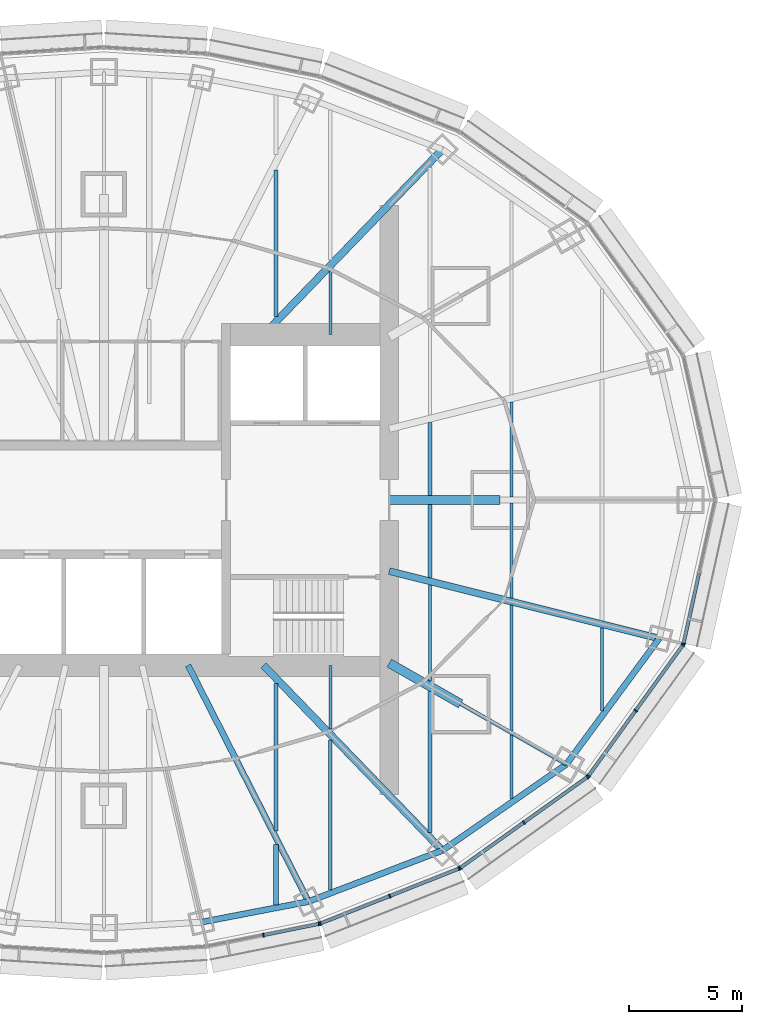
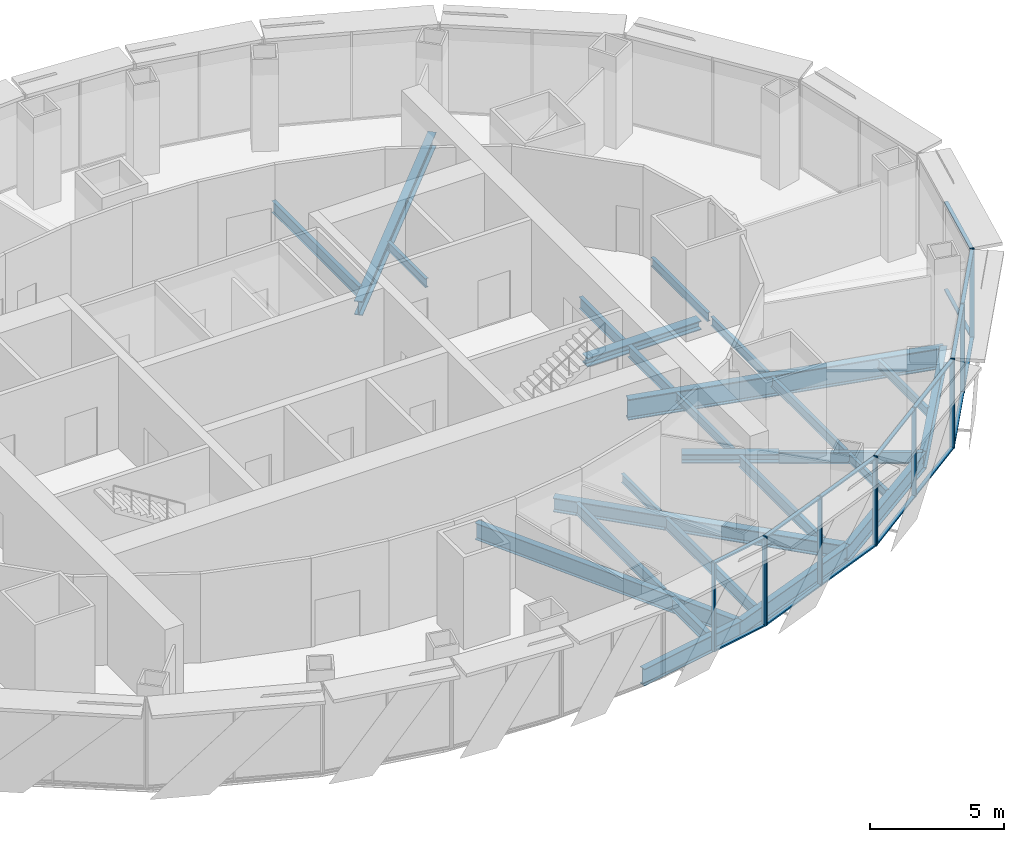
# One storey, part 6 of 16: 28 members, 26 beams, 5 elements without a shape of their own.
"""IFC4 building model written with IfcOpenShell, lengths in metres."""

from ifc_helpers import new_model, si_unit, direction, frame, origin, origin_2d, place, context, subcontext, project, spatial, rectangle, i_section, extrude, material, material_profile, profile_set, type_object, element, aggregate, save


model = new_model("IFC4")

# Units and contexts
model_context = context("Model", 3, precision=1e-05, world=origin(), true_north=direction((0.0, 1.0)))
body_context = subcontext(model_context, "Body", "Model", "MODEL_VIEW")
ifc_project = project(units=[si_unit("LENGTHUNIT", "METRE"), si_unit("AREAUNIT", "SQUARE_METRE"), si_unit("VOLUMEUNIT", "CUBIC_METRE"), si_unit("PLANEANGLEUNIT", "RADIAN"), si_unit("MASSUNIT", "GRAM", prefix="KILO")], contexts=[model_context])

# Site, building, storey
site_placement = place(None, origin())
site = spatial("IfcSite", under=ifc_project, at=site_placement, CompositionType="ELEMENT")
building_placement = place(site_placement, origin())
building = spatial("IfcBuilding", under=site, at=building_placement, Name="Lantaw Convention Tower", CompositionType="ELEMENT")
storey_placement = place(building_placement, frame((0.0, 0.0, 232.60009765625)))
storey = spatial("IfcBuildingStorey", under=building, at=storey_placement, Name="L54", CompositionType="ELEMENT", Elevation=232.60009765625)

# Beams
ifc_material_1 = material(Name="Steel ASTM A992", Category="steel")
ifc_material_profile_1 = material_profile(ifc_material_1, i_section(OverallWidth=0.2666015625, OverallDepth=0.76953125, WebThickness=0.015625, FlangeThickness=0.025390625, FilletRadius=0.0126953125, at=origin_2d()), Name="W30X132")
ifc_profile_set_1 = profile_set([ifc_material_profile_1], Name="Steel ASTM A992")
beam_type_1 = type_object("IfcBeamType", Name="Beam E W30X132", PredefinedType="SPANDREL", material=ifc_profile_set_1)
beam_1_placement = place(storey_placement, frame((4.303955078125, -18.64208984375, -0.534912109375), z_axis=(0.981972091702, 0.189025953556, 0.0), x_axis=(-0.189025953556, 0.981972091702, 0.0)))
element("IfcBeam", 1, at=beam_1_placement, inside=storey, type_object=beam_type_1, Name="Edge beam 20", PredefinedType="SPANDREL", context=body_context, shape_type="SweptSolid", body=[
    extrude(i_section(OverallWidth=0.2666015625, OverallDepth=0.76953125, WebThickness=0.015625, FlangeThickness=0.025390625, FilletRadius=0.0126953125, at=origin_2d()), origin(), (0.0, 0.0, 1.0), 4.817626953125),
])
beam_2_placement = place(storey_placement, frame((9.03466796875, -17.7314453125, -0.534912109375), z_axis=(0.934234988, 0.356658081637, 0.0), x_axis=(-0.356658081637, 0.934234988, 0.0)))
element("IfcBeam", 2, at=beam_2_placement, inside=storey, type_object=beam_type_1, Name="Edge beam 21", PredefinedType="SPANDREL", context=body_context, shape_type="SweptSolid", body=[
    extrude(i_section(OverallWidth=0.2666015625, OverallDepth=0.76953125, WebThickness=0.015625, FlangeThickness=0.025390625, FilletRadius=0.0126953125, at=origin_2d()), origin(), (0.0, 0.0, 1.0), 6.32568359375),
])
beam_3_placement = place(storey_placement, frame((14.9443359375, -15.475341796875, -0.534912109375), z_axis=(0.82135329406, 0.570419815869, 0.0), x_axis=(-0.570419815869, 0.82135329406, 0.0)))
element("IfcBeam", 3, at=beam_3_placement, inside=storey, type_object=beam_type_1, Name="Edge beam 22", PredefinedType="SPANDREL", context=body_context, shape_type="SweptSolid", body=[
    extrude(i_section(OverallWidth=0.2666015625, OverallDepth=0.76953125, WebThickness=0.015625, FlangeThickness=0.025390625, FilletRadius=0.0126953125, at=origin_2d()), origin(), (0.0, 0.0, 1.0), 6.67041015625),
])
beam_4_placement = place(storey_placement, frame((20.423095703125, -11.67041015625, -0.534912109375), z_axis=(0.593639188853, 0.804731329984, 0.0), x_axis=(-0.804731329984, 0.593639188853, 0.0)))
element("IfcBeam", 4, at=beam_4_placement, inside=storey, type_object=beam_type_1, Name="Edge beam 23", PredefinedType="SPANDREL", context=body_context, shape_type="SweptSolid", body=[
    extrude(i_section(OverallWidth=0.2666015625, OverallDepth=0.76953125, WebThickness=0.015625, FlangeThickness=0.025390625, FilletRadius=0.0126953125, at=origin_2d()), origin(), (0.0, 0.0, 1.0), 6.904541015625),
])
ifc_material_profile_2 = material_profile(ifc_material_1, i_section(OverallWidth=0.165771484375, OverallDepth=0.5283203125, WebThickness=0.009765625, FlangeThickness=0.013671875, FilletRadius=0.012939453125, at=origin_2d()), Name="W21X50")
ifc_profile_set_2 = profile_set([ifc_material_profile_2], Name="Steel ASTM A992")
beam_type_2 = type_object("IfcBeamType", Name="Beam G W21X50", PredefinedType="BEAM", material=ifc_profile_set_2)
beam_5_placement = place(storey_placement, frame((15.75, -9.0, -0.414306640625), z_axis=(0.868237559289, -0.496148708192, 0.0), x_axis=(0.496148708192, 0.868237559289, 0.0)))
element("IfcBeam", 5, at=beam_5_placement, inside=storey, type_object=beam_type_2, Name="Floor girder on ray 23", PredefinedType="BEAM", context=body_context, shape_type="SweptSolid", body=[
    extrude(i_section(OverallWidth=0.165771484375, OverallDepth=0.5283203125, WebThickness=0.009765625, FlangeThickness=0.013671875, FilletRadius=0.012939453125, at=origin_2d()), origin(), (0.0, 0.0, 1.0), 5.38232421875),
])
ifc_material_profile_3 = material_profile(ifc_material_1, i_section(OverallWidth=0.32763671875, OverallDepth=0.64013671875, WebThickness=0.01904296875, FlangeThickness=0.033935546875, FilletRadius=0.0126953125, at=origin_2d()), Name="W24X176")
ifc_profile_set_3 = profile_set([ifc_material_profile_3], Name="Steel ASTM A992")
beam_type_3 = type_object("IfcBeamType", Name="Beam G W24X176", PredefinedType="BEAM", material=ifc_profile_set_3)
for number, where, z_axis, x_axis, name in (
    (6, (7.049560546875, 7.300048828125, -0.47021484375), (0.694657766726, 0.719340383356, 0.0), (-0.719340383356, 0.694657766726, 0.0), "Floor girder on ray 4"),
    (7, (7.049560546875, -7.300048828125, -0.47021484375), (0.694657766726, -0.719340383356, 0.0), (0.719340383356, 0.694657766726, 0.0), "Floor girder on ray 22"),
):
    element("IfcBeam", number, at=place(storey_placement, frame(where, z_axis=z_axis, x_axis=x_axis)), inside=storey, type_object=beam_type_3, Name=name, PredefinedType="BEAM", context=body_context, shape_type="SweptSolid", body=[
        extrude(i_section(OverallWidth=0.32763671875, OverallDepth=0.64013671875, WebThickness=0.01904296875, FlangeThickness=0.033935546875, FilletRadius=0.0126953125, at=origin_2d()), origin(), (0.0, 0.0, 1.0), 11.364990234375),
    ])
ifc_material_profile_4 = material_profile(ifc_material_1, i_section(OverallWidth=0.2666015625, OverallDepth=0.7568359375, WebThickness=0.013916015625, FlangeThickness=0.019287109375, FilletRadius=0.0126953125, at=origin_2d()), Name="W30X108")
ifc_profile_set_4 = profile_set([ifc_material_profile_4], Name="Steel ASTM A992")
beam_type_4 = type_object("IfcBeamType", Name="Beam G W30X108", PredefinedType="BEAM", material=ifc_profile_set_4)
beam_6_placement = place(storey_placement, frame((3.719482421875, -7.300048828125, -0.528564453125), z_axis=(0.4539988787, -0.891002254845, 0.0), x_axis=(0.891002254845, 0.4539988787, 0.0)))
element("IfcBeam", 8, at=beam_6_placement, inside=storey, type_object=beam_type_4, Name="Floor girder on ray 21", PredefinedType="BEAM", context=body_context, shape_type="SweptSolid", body=[
    extrude(i_section(OverallWidth=0.2666015625, OverallDepth=0.7568359375, WebThickness=0.013916015625, FlangeThickness=0.019287109375, FilletRadius=0.0126953125, at=origin_2d()), origin(), (0.0, 0.0, 1.0), 11.70751953125),
])
ifc_material_profile_5 = material_profile(ifc_material_1, i_section(OverallWidth=0.307373046875, OverallDepth=0.9423828125, WebThickness=0.022216796875, FlangeThickness=0.039794921875, FilletRadius=0.0126953125, at=origin_2d()), Name="W36X232")
ifc_profile_set_5 = profile_set([ifc_material_profile_5], Name="Steel ASTM A992")
beam_type_5 = type_object("IfcBeamType", Name="Beam G W36X232", PredefinedType="BEAM", material=ifc_profile_set_5)
beam_7_placement = place(storey_placement, frame((12.60009765625, -3.1416015625, -0.621337890625), z_axis=(0.970296589314, -0.241918434119, 0.0), x_axis=(0.241918434119, 0.970296589314, 0.0)))
element("IfcBeam", 9, at=beam_7_placement, inside=storey, type_object=beam_type_5, Name="Floor girder on ray 24", PredefinedType="BEAM", context=body_context, shape_type="SweptSolid", body=[
    extrude(i_section(OverallWidth=0.307373046875, OverallDepth=0.9423828125, WebThickness=0.022216796875, FlangeThickness=0.039794921875, FilletRadius=0.0126953125, at=origin_2d()), origin(), (0.0, 0.0, 1.0), 12.286865234375),
])
ifc_material_profile_6 = material_profile(ifc_material_1, i_section(OverallWidth=0.40380859375, OverallDepth=0.406494140625, WebThickness=0.027099609375, FlangeThickness=0.043701171875, FilletRadius=0.01513671875, at=origin_2d()), Name="W14X233")
ifc_profile_set_6 = profile_set([ifc_material_profile_6], Name="Steel ASTM A992")
beam_type_6 = type_object("IfcBeamType", Name="Beam GM W14X233", PredefinedType="BEAM", material=ifc_profile_set_6)
beam_8_placement = place(storey_placement, frame((12.60009765625, 0.0, -0.353271484375), z_axis=(1.0, 0.0, 0.0), x_axis=(0.0, 1.0, 0.0)))
element("IfcBeam", 10, at=beam_8_placement, inside=storey, type_object=beam_type_6, Name="Core link beam on ray 1", PredefinedType="BEAM", context=body_context, shape_type="SweptSolid", body=[
    extrude(i_section(OverallWidth=0.40380859375, OverallDepth=0.406494140625, WebThickness=0.027099609375, FlangeThickness=0.043701171875, FilletRadius=0.01513671875, at=origin_2d()), origin(), (0.0, 0.0, 1.0), 4.89990234375),
])
beam_9_placement = place(storey_placement, frame((12.60009765625, -7.199951171875, -0.353271484375), z_axis=(0.868230718294, -0.496160679428, 0.0), x_axis=(0.496160679428, 0.868230718294, 0.0)))
element("IfcBeam", 11, at=beam_9_placement, inside=storey, type_object=beam_type_6, Name="Core link beam on ray 23", PredefinedType="BEAM", context=body_context, shape_type="SweptSolid", body=[
    extrude(i_section(OverallWidth=0.40380859375, OverallDepth=0.406494140625, WebThickness=0.027099609375, FlangeThickness=0.043701171875, FilletRadius=0.01513671875, at=origin_2d()), origin(), (0.0, 0.0, 1.0), 3.6279296875),
])
ifc_material_profile_7 = material_profile(ifc_material_1, i_section(OverallWidth=0.140380859375, OverallDepth=0.40380859375, WebThickness=0.007080078125, FlangeThickness=0.01123046875, FilletRadius=0.01025390625, at=origin_2d()), Name="W16X31")
ifc_profile_set_7 = profile_set([ifc_material_profile_7], Name="Steel ASTM A992")
beam_type_7 = type_object("IfcBeamType", Name="Beam J W16X31", PredefinedType="JOIST", material=ifc_profile_set_7)
for number, where, z_axis, x_axis, name in (
    (12, (10.0, -10.119384765625, -0.35205078125), (0.0, 1.0, 0.0), (-1.0, 0.0, 0.0), "Floor joist"),
    (13, (10.0, 7.300048828125, -0.35205078125), (0.0, 1.0, 0.0), (-1.0, 0.0, 0.0), "Floor joist"),
):
    element("IfcBeam", number, at=place(storey_placement, frame(where, z_axis=z_axis, x_axis=x_axis)), inside=storey, type_object=beam_type_7, Name=name, PredefinedType="JOIST", context=body_context, shape_type="SweptSolid", body=[
        extrude(i_section(OverallWidth=0.140380859375, OverallDepth=0.40380859375, WebThickness=0.007080078125, FlangeThickness=0.01123046875, FilletRadius=0.01025390625, at=origin_2d()), origin(), (0.0, 0.0, 1.0), 2.8193359375),
    ])
beam_10_placement = place(storey_placement, frame((14.39990234375, -7.99609375, -0.35205078125), z_axis=(0.0, 1.0, 0.0), x_axis=(-1.0, 0.0, 0.0)))
element("IfcBeam", 14, at=beam_10_placement, inside=storey, type_object=beam_type_7, Name="Floor joist", PredefinedType="JOIST", context=body_context, shape_type="SweptSolid", body=[
    extrude(i_section(OverallWidth=0.140380859375, OverallDepth=0.40380859375, WebThickness=0.007080078125, FlangeThickness=0.01123046875, FilletRadius=0.01025390625, at=origin_2d()), origin(), (0.0, 0.0, 1.0), 4.247314453125),
])
beam_11_placement = place(storey_placement, frame((18.0, -13.19091796875, -0.35205078125), z_axis=(0.0, 1.0, 0.0), x_axis=(-1.0, 0.0, 0.0)))
element("IfcBeam", 15, at=beam_11_placement, inside=storey, type_object=beam_type_7, Name="Floor joist", PredefinedType="JOIST", context=body_context, shape_type="SweptSolid", body=[
    extrude(i_section(OverallWidth=0.140380859375, OverallDepth=0.40380859375, WebThickness=0.007080078125, FlangeThickness=0.01123046875, FilletRadius=0.01025390625, at=origin_2d()), origin(), (0.0, 0.0, 1.0), 2.8095703125),
])
for number, where, z_axis, x_axis, name in (
    (16, (18.0, -4.32958984375, -0.35205078125), (0.0, 1.0, 0.0), (-1.0, 0.0, 0.0), "Floor joist"),
    (17, (18.0, 0.126953125, -0.35205078125), (0.0, 1.0, 0.0), (-1.0, 0.0, 0.0), "Floor joist"),
):
    element("IfcBeam", number, at=place(storey_placement, frame(where, z_axis=z_axis, x_axis=x_axis)), inside=storey, type_object=beam_type_7, Name=name, PredefinedType="JOIST", context=body_context, shape_type="SweptSolid", body=[
        extrude(i_section(OverallWidth=0.140380859375, OverallDepth=0.40380859375, WebThickness=0.007080078125, FlangeThickness=0.01123046875, FilletRadius=0.01025390625, at=origin_2d()), origin(), (0.0, 0.0, 1.0), 4.20263671875),
    ])
beam_12_placement = place(storey_placement, frame((22.0, -9.30810546875, -0.35205078125), z_axis=(0.0, 1.0, 0.0), x_axis=(-1.0, 0.0, 0.0)))
element("IfcBeam", 18, at=beam_12_placement, inside=storey, type_object=beam_type_7, Name="Floor joist", PredefinedType="JOIST", context=body_context, shape_type="SweptSolid", body=[
    extrude(i_section(OverallWidth=0.140380859375, OverallDepth=0.40380859375, WebThickness=0.007080078125, FlangeThickness=0.01123046875, FilletRadius=0.01025390625, at=origin_2d()), origin(), (0.0, 0.0, 1.0), 3.66455078125),
])
ifc_material_profile_8 = material_profile(ifc_material_1, i_section(OverallWidth=0.15234375, OverallDepth=0.449462890625, WebThickness=0.007568359375, FlangeThickness=0.0107421875, FilletRadius=0.01025390625, at=origin_2d()), Name="W18X35")
ifc_profile_set_8 = profile_set([ifc_material_profile_8], Name="Steel ASTM A992")
beam_type_8 = type_object("IfcBeamType", Name="Beam J W18X35", PredefinedType="JOIST", material=ifc_profile_set_8)
beam_13_placement = place(storey_placement, frame((18.0, -10.190185546875, -0.375), z_axis=(0.0, 1.0, 0.0), x_axis=(-1.0, 0.0, 0.0)))
element("IfcBeam", 19, at=beam_13_placement, inside=storey, type_object=beam_type_8, Name="Floor joist", PredefinedType="JOIST", context=body_context, shape_type="SweptSolid", body=[
    extrude(i_section(OverallWidth=0.15234375, OverallDepth=0.449462890625, WebThickness=0.007568359375, FlangeThickness=0.0107421875, FilletRadius=0.01025390625, at=origin_2d()), origin(), (0.0, 0.0, 1.0), 5.5439453125),
])
ifc_material_profile_9 = material_profile(ifc_material_1, i_section(OverallWidth=0.1650390625, OverallDepth=0.52587890625, WebThickness=0.0087890625, FlangeThickness=0.011474609375, FilletRadius=0.0126953125, at=origin_2d()), Name="W21X44")
ifc_profile_set_9 = profile_set([ifc_material_profile_9], Name="Steel ASTM A992")
beam_type_9 = type_object("IfcBeamType", Name="Beam J W21X44", PredefinedType="JOIST", material=ifc_profile_set_9)
beam_14_placement = place(storey_placement, frame((7.60009765625, -14.6220703125, -0.4130859375), z_axis=(0.0, 1.0, 0.0), x_axis=(-1.0, 0.0, 0.0)))
element("IfcBeam", 20, at=beam_14_placement, inside=storey, type_object=beam_type_9, Name="Floor joist", PredefinedType="JOIST", context=body_context, shape_type="SweptSolid", body=[
    extrude(i_section(OverallWidth=0.1650390625, OverallDepth=0.52587890625, WebThickness=0.0087890625, FlangeThickness=0.011474609375, FilletRadius=0.0126953125, at=origin_2d()), origin(), (0.0, 0.0, 1.0), 6.51611328125),
])
beam_15_placement = place(storey_placement, frame((7.60009765625, 8.10595703125, -0.4130859375), z_axis=(0.0, 1.0, 0.0), x_axis=(-1.0, 0.0, 0.0)))
element("IfcBeam", 21, at=beam_15_placement, inside=storey, type_object=beam_type_9, Name="Floor joist", PredefinedType="JOIST", context=body_context, shape_type="SweptSolid", body=[
    extrude(i_section(OverallWidth=0.1650390625, OverallDepth=0.52587890625, WebThickness=0.0087890625, FlangeThickness=0.011474609375, FilletRadius=0.0126953125, at=origin_2d()), origin(), (0.0, 0.0, 1.0), 6.471435546875),
])
beam_16_placement = place(storey_placement, frame((10.0, -17.22021484375, -0.4130859375), z_axis=(0.0, 1.0, 0.0), x_axis=(-1.0, 0.0, 0.0)))
element("IfcBeam", 22, at=beam_16_placement, inside=storey, type_object=beam_type_9, Name="Floor joist", PredefinedType="JOIST", context=body_context, shape_type="SweptSolid", body=[
    extrude(i_section(OverallWidth=0.1650390625, OverallDepth=0.52587890625, WebThickness=0.0087890625, FlangeThickness=0.011474609375, FilletRadius=0.0126953125, at=origin_2d()), origin(), (0.0, 0.0, 1.0), 6.629150390625),
])
beam_17_placement = place(storey_placement, frame((14.39990234375, -14.67578125, -0.4130859375), z_axis=(0.0, 1.0, 0.0), x_axis=(-1.0, 0.0, 0.0)))
element("IfcBeam", 23, at=beam_17_placement, inside=storey, type_object=beam_type_9, Name="Floor joist", PredefinedType="JOIST", context=body_context, shape_type="SweptSolid", body=[
    extrude(i_section(OverallWidth=0.1650390625, OverallDepth=0.52587890625, WebThickness=0.0087890625, FlangeThickness=0.011474609375, FilletRadius=0.0126953125, at=origin_2d()), origin(), (0.0, 0.0, 1.0), 6.214599609375),
])
for number, where, z_axis, x_axis, name in (
    (24, (14.39990234375, -3.431884765625, -0.4130859375), (0.0, 1.0, 0.0), (-1.0, 0.0, 0.0), "Floor joist"),
    (25, (14.39990234375, 0.201904296875, -0.4130859375), (0.0, 1.0, 0.0), (-1.0, 0.0, 0.0), "Floor joist"),
):
    element("IfcBeam", number, at=place(storey_placement, frame(where, z_axis=z_axis, x_axis=x_axis)), inside=storey, type_object=beam_type_9, Name=name, PredefinedType="JOIST", context=body_context, shape_type="SweptSolid", body=[
        extrude(i_section(OverallWidth=0.1650390625, OverallDepth=0.52587890625, WebThickness=0.0087890625, FlangeThickness=0.011474609375, FilletRadius=0.0126953125, at=origin_2d()), origin(), (0.0, 0.0, 1.0), 3.22998046875),
    ])
ifc_material_profile_10 = material_profile(ifc_material_1, i_section(OverallWidth=0.2099609375, OverallDepth=0.535888671875, WebThickness=0.010986328125, FlangeThickness=0.017333984375, FilletRadius=0.012939453125, at=origin_2d()), Name="W21X68")
ifc_profile_set_10 = profile_set([ifc_material_profile_10], Name="Steel ASTM A992")
beam_type_10 = type_object("IfcBeamType", Name="Beam J W21X68", PredefinedType="JOIST", material=ifc_profile_set_10)
beam_18_placement = place(storey_placement, frame((7.60009765625, -17.871826171875, -0.41796875), z_axis=(0.0, 1.0, 0.0), x_axis=(-1.0, 0.0, 0.0)))
element("IfcBeam", 26, at=beam_18_placement, inside=storey, type_object=beam_type_10, Name="Floor joist", PredefinedType="JOIST", context=body_context, shape_type="SweptSolid", body=[
    extrude(i_section(OverallWidth=0.2099609375, OverallDepth=0.535888671875, WebThickness=0.010986328125, FlangeThickness=0.017333984375, FilletRadius=0.012939453125, at=origin_2d()), origin(), (0.0, 0.0, 1.0), 2.662353515625),
])

# Curtain wall, members
ifc_material_2 = material(Name="Aluminium framed curtain wall", Category="aluminium")
curtain_wall_type = type_object("IfcCurtainWallType", Name="Office curtain wall high rise, pale aluminium", PredefinedType="USERDEFINED", material=ifc_material_2)
curtain_wall_1_placement = place(storey_placement, origin())
curtain_wall_1 = element("IfcCurtainWall", 27, at=curtain_wall_1_placement, inside=storey, type_object=curtain_wall_type, Name="Office curtain wall high rise, pale aluminium L54", ObjectType="UNITISED CURTAIN WALL", PredefinedType="USERDEFINED")
ifc_material_3 = material(Name="Aluminium 6063-T6", Category="aluminium")
ifc_material_profile_11 = material_profile(ifc_material_3, rectangle(XDim=0.179931640625, YDim=0.06494140625, at=origin_2d()), Name="CW-O2 mullion 65x180")
ifc_profile_set_11 = profile_set([ifc_material_profile_11], Name="Aluminium 6063-T6")
member_type_1 = type_object("IfcMemberType", Name="CW-O2 mullion 65x180", PredefinedType="MULLION", material=ifc_profile_set_11)
member_1_placement = place(storey_placement, frame((7.042724609375, -19.212646484375, 0.0), z_axis=(0.0, 0.0, 1.0), x_axis=(-0.197183095987, 0.980366679695, 0.0)))
member_1 = element("IfcMember", 28, at=member_1_placement, type_object=member_type_1, Name="CW-O2 mullion 2", PredefinedType="MULLION", context=body_context, shape_type="SweptSolid", body=[
    extrude(rectangle(XDim=0.179931640625, YDim=0.06494140625, at=origin_2d()), origin(), (0.0, 0.0, 1.0), 4.0498046875),
])
member_2_placement = place(storey_placement, frame((9.502197265625, -18.718017578125, 0.0), z_axis=(0.0, 0.0, 1.0), x_axis=(-0.197183095987, 0.980366679695, 0.0)))
member_2 = element("IfcMember", 29, at=member_2_placement, type_object=member_type_1, Name="CW-O2 mullion 3", PredefinedType="MULLION", context=body_context, shape_type="SweptSolid", body=[
    extrude(rectangle(XDim=0.179931640625, YDim=0.06494140625, at=origin_2d()), origin(), (0.0, 0.0, 1.0), 4.0498046875),
])

curtain_wall_2_placement = place(storey_placement, origin())
curtain_wall_2 = element("IfcCurtainWall", 30, at=curtain_wall_2_placement, inside=storey, type_object=curtain_wall_type, Name="Office curtain wall high rise, pale aluminium L54", ObjectType="UNITISED CURTAIN WALL", PredefinedType="USERDEFINED")
member_3_placement = place(storey_placement, frame((9.564208984375, -18.69970703125, 0.0), z_axis=(0.0, 0.0, 1.0), x_axis=(-0.368162315252, 0.929761533743, 0.0)))
member_3 = element("IfcMember", 31, at=member_3_placement, type_object=member_type_1, Name="CW-O2 mullion 1", PredefinedType="MULLION", context=body_context, shape_type="SweptSolid", body=[
    extrude(rectangle(XDim=0.179931640625, YDim=0.06494140625, at=origin_2d()), origin(), (0.0, 0.0, 1.0), 4.0498046875),
])
member_4_placement = place(storey_placement, frame((12.621337890625, -17.4892578125, 0.0), z_axis=(0.0, 0.0, 1.0), x_axis=(-0.368162315252, 0.929761533743, 0.0)))
member_4 = element("IfcMember", 32, at=member_4_placement, type_object=member_type_1, Name="CW-O2 mullion 2", PredefinedType="MULLION", context=body_context, shape_type="SweptSolid", body=[
    extrude(rectangle(XDim=0.179931640625, YDim=0.06494140625, at=origin_2d()), origin(), (0.0, 0.0, 1.0), 4.0498046875),
])
member_5_placement = place(storey_placement, frame((15.67822265625, -16.278564453125, 0.0), z_axis=(0.0, 0.0, 1.0), x_axis=(-0.368162315252, 0.929761533743, 0.0)))
member_5 = element("IfcMember", 33, at=member_5_placement, type_object=member_type_1, Name="CW-O2 mullion 3", PredefinedType="MULLION", context=body_context, shape_type="SweptSolid", body=[
    extrude(rectangle(XDim=0.179931640625, YDim=0.06494140625, at=origin_2d()), origin(), (0.0, 0.0, 1.0), 4.0498046875),
])

curtain_wall_3_placement = place(storey_placement, origin())
curtain_wall_3 = element("IfcCurtainWall", 34, at=curtain_wall_3_placement, inside=storey, type_object=curtain_wall_type, Name="Office curtain wall high rise, pale aluminium L54", ObjectType="UNITISED CURTAIN WALL", PredefinedType="USERDEFINED")
member_6_placement = place(storey_placement, frame((15.73486328125, -16.247802734375, 0.0), z_axis=(0.0, 0.0, 1.0), x_axis=(-0.581323487281, 0.813672540482, 0.0)))
member_6 = element("IfcMember", 35, at=member_6_placement, type_object=member_type_1, Name="CW-O2 mullion 1", PredefinedType="MULLION", context=body_context, shape_type="SweptSolid", body=[
    extrude(rectangle(XDim=0.179931640625, YDim=0.06494140625, at=origin_2d()), origin(), (0.0, 0.0, 1.0), 4.0498046875),
])
member_7_placement = place(storey_placement, frame((18.543212890625, -14.241455078125, 0.0), z_axis=(0.0, 0.0, 1.0), x_axis=(-0.581323487281, 0.813672540482, 0.0)))
member_7 = element("IfcMember", 36, at=member_7_placement, type_object=member_type_1, Name="CW-O2 mullion 2", PredefinedType="MULLION", context=body_context, shape_type="SweptSolid", body=[
    extrude(rectangle(XDim=0.179931640625, YDim=0.06494140625, at=origin_2d()), origin(), (0.0, 0.0, 1.0), 4.0498046875),
])
member_8_placement = place(storey_placement, frame((21.3515625, -12.23486328125, 0.0), z_axis=(0.0, 0.0, 1.0), x_axis=(-0.581323487281, 0.813672540482, 0.0)))
member_8 = element("IfcMember", 37, at=member_8_placement, type_object=member_type_1, Name="CW-O2 mullion 3", PredefinedType="MULLION", context=body_context, shape_type="SweptSolid", body=[
    extrude(rectangle(XDim=0.179931640625, YDim=0.06494140625, at=origin_2d()), origin(), (0.0, 0.0, 1.0), 4.0498046875),
])

curtain_wall_4_placement = place(storey_placement, origin())
curtain_wall_4 = element("IfcCurtainWall", 38, at=curtain_wall_4_placement, inside=storey, type_object=curtain_wall_type, Name="Office curtain wall high rise, pale aluminium L54", ObjectType="UNITISED CURTAIN WALL", PredefinedType="USERDEFINED")
member_9_placement = place(storey_placement, frame((21.397216796875, -12.189697265625, 0.0), z_axis=(0.0, 0.0, 1.0), x_axis=(-0.810919559405, 0.585157643865, 0.0)))
member_9 = element("IfcMember", 39, at=member_9_placement, type_object=member_type_1, Name="CW-O2 mullion 1", PredefinedType="MULLION", context=body_context, shape_type="SweptSolid", body=[
    extrude(rectangle(XDim=0.179931640625, YDim=0.06494140625, at=origin_2d()), origin(), (0.0, 0.0, 1.0), 4.0498046875),
])
member_10_placement = place(storey_placement, frame((23.483642578125, -9.298095703125, 0.0), z_axis=(0.0, 0.0, 1.0), x_axis=(-0.810919559405, 0.585157643865, 0.0)))
member_10 = element("IfcMember", 40, at=member_10_placement, type_object=member_type_1, Name="CW-O2 mullion 2", PredefinedType="MULLION", context=body_context, shape_type="SweptSolid", body=[
    extrude(rectangle(XDim=0.179931640625, YDim=0.06494140625, at=origin_2d()), origin(), (0.0, 0.0, 1.0), 4.0498046875),
])
member_11_placement = place(storey_placement, frame((25.5703125, -6.406494140625, 0.0), z_axis=(0.0, 0.0, 1.0), x_axis=(-0.810919559405, 0.585157643865, 0.0)))
member_11 = element("IfcMember", 41, at=member_11_placement, type_object=member_type_1, Name="CW-O2 mullion 3", PredefinedType="MULLION", context=body_context, shape_type="SweptSolid", body=[
    extrude(rectangle(XDim=0.179931640625, YDim=0.06494140625, at=origin_2d()), origin(), (0.0, 0.0, 1.0), 4.0498046875),
])

# Curtain wall, member
curtain_wall_5_placement = place(storey_placement, origin())
curtain_wall_5 = element("IfcCurtainWall", 42, at=curtain_wall_5_placement, inside=storey, type_object=curtain_wall_type, Name="Office curtain wall high rise, pale aluminium L54", ObjectType="UNITISED CURTAIN WALL", PredefinedType="USERDEFINED")
member_12_placement = place(storey_placement, frame((25.596435546875, -6.348388671875, 0.0), z_axis=(0.0, 0.0, 1.0), x_axis=(-0.976417396437, 0.215891333626, 0.0)))
member_12 = element("IfcMember", 43, at=member_12_placement, type_object=member_type_1, Name="CW-O2 mullion 1", PredefinedType="MULLION", context=body_context, shape_type="SweptSolid", body=[
    extrude(rectangle(XDim=0.179931640625, YDim=0.06494140625, at=origin_2d()), origin(), (0.0, 0.0, 1.0), 4.0498046875),
])

# Member
ifc_material_profile_12 = material_profile(ifc_material_3, rectangle(XDim=0.14990234375, YDim=0.06494140625, at=origin_2d()), Name="CW-O2 transom 65x150")
ifc_profile_set_12 = profile_set([ifc_material_profile_12], Name="Aluminium 6063-T6")
member_type_2 = type_object("IfcMemberType", Name="CW-O2 transom 65x150", PredefinedType="USERDEFINED", material=ifc_profile_set_12)
member_13_placement = place(storey_placement, frame((7.074462890625, -19.206298828125, 0.032470703125), z_axis=(0.98036104319, 0.197211117829, 0.0), x_axis=(-0.197211117829, 0.98036104319, 0.0)))
member_13 = element("IfcMember", 44, at=member_13_placement, type_object=member_type_2, Name="CW-O2 transom 2.1", ObjectType="TRANSOM", PredefinedType="USERDEFINED", context=body_context, shape_type="SweptSolid", body=[
    extrude(rectangle(XDim=0.14990234375, YDim=0.06494140625, at=origin_2d()), origin(), (0.0, 0.0, 1.0), 2.44384765625),
])

member_14_placement = place(storey_placement, frame((7.074462890625, -19.206298828125, 4.017333984375), z_axis=(0.98036104319, 0.197211117829, 0.0), x_axis=(-0.197211117829, 0.98036104319, 0.0)))
member_14 = element("IfcMember", 45, at=member_14_placement, type_object=member_type_2, Name="CW-O2 transom 2.2", ObjectType="TRANSOM", PredefinedType="USERDEFINED", context=body_context, shape_type="SweptSolid", body=[
    extrude(rectangle(XDim=0.14990234375, YDim=0.06494140625, at=origin_2d()), origin(), (0.0, 0.0, 1.0), 2.44384765625),
])

aggregate(curtain_wall_1, [member_1, member_2, member_13, member_14])

member_15_placement = place(storey_placement, frame((9.594482421875, -18.687744140625, 0.032470703125), z_axis=(0.929766642946, 0.368149412149, 0.0), x_axis=(-0.368149412149, 0.929766642946, 0.0)))
member_15 = element("IfcMember", 46, at=member_15_placement, type_object=member_type_2, Name="CW-O2 transom 1.1", ObjectType="TRANSOM", PredefinedType="USERDEFINED", context=body_context, shape_type="SweptSolid", body=[
    extrude(rectangle(XDim=0.14990234375, YDim=0.06494140625, at=origin_2d()), origin(), (0.0, 0.0, 1.0), 3.222900390625),
])

member_16_placement = place(storey_placement, frame((9.594482421875, -18.687744140625, 4.017333984375), z_axis=(0.929766642946, 0.368149412149, 0.0), x_axis=(-0.368149412149, 0.929766642946, 0.0)))
member_16 = element("IfcMember", 47, at=member_16_placement, type_object=member_type_2, Name="CW-O2 transom 1.2", ObjectType="TRANSOM", PredefinedType="USERDEFINED", context=body_context, shape_type="SweptSolid", body=[
    extrude(rectangle(XDim=0.14990234375, YDim=0.06494140625, at=origin_2d()), origin(), (0.0, 0.0, 1.0), 3.222900390625),
])

member_17_placement = place(storey_placement, frame((12.651611328125, -17.477294921875, 0.032470703125), z_axis=(0.929740712354, 0.368214893495, 0.0), x_axis=(-0.368214893495, 0.929740712354, 0.0)))
member_17 = element("IfcMember", 48, at=member_17_placement, type_object=member_type_2, Name="CW-O2 transom 2.1", ObjectType="TRANSOM", PredefinedType="USERDEFINED", context=body_context, shape_type="SweptSolid", body=[
    extrude(rectangle(XDim=0.14990234375, YDim=0.06494140625, at=origin_2d()), origin(), (0.0, 0.0, 1.0), 3.22314453125),
])

member_18_placement = place(storey_placement, frame((12.651611328125, -17.477294921875, 4.017333984375), z_axis=(0.929740712354, 0.368214893495, 0.0), x_axis=(-0.368214893495, 0.929740712354, 0.0)))
member_18 = element("IfcMember", 49, at=member_18_placement, type_object=member_type_2, Name="CW-O2 transom 2.2", ObjectType="TRANSOM", PredefinedType="USERDEFINED", context=body_context, shape_type="SweptSolid", body=[
    extrude(rectangle(XDim=0.14990234375, YDim=0.06494140625, at=origin_2d()), origin(), (0.0, 0.0, 1.0), 3.22314453125),
])

aggregate(curtain_wall_2, [member_3, member_4, member_5, member_15, member_16, member_17, member_18])

member_19_placement = place(storey_placement, frame((15.761474609375, -16.22900390625, 0.032470703125), z_axis=(0.813645780821, 0.581360940683, 0.0), x_axis=(-0.581360940683, 0.813645780821, 0.0)))
member_19 = element("IfcMember", 50, at=member_19_placement, type_object=member_type_2, Name="CW-O2 transom 1.1", ObjectType="TRANSOM", PredefinedType="USERDEFINED", context=body_context, shape_type="SweptSolid", body=[
    extrude(rectangle(XDim=0.14990234375, YDim=0.06494140625, at=origin_2d()), origin(), (0.0, 0.0, 1.0), 3.386474609375),
])

member_20_placement = place(storey_placement, frame((15.761474609375, -16.22900390625, 4.017333984375), z_axis=(0.813645780821, 0.581360940683, 0.0), x_axis=(-0.581360940683, 0.813645780821, 0.0)))
member_20 = element("IfcMember", 51, at=member_20_placement, type_object=member_type_2, Name="CW-O2 transom 1.2", ObjectType="TRANSOM", PredefinedType="USERDEFINED", context=body_context, shape_type="SweptSolid", body=[
    extrude(rectangle(XDim=0.14990234375, YDim=0.06494140625, at=origin_2d()), origin(), (0.0, 0.0, 1.0), 3.386474609375),
])

member_21_placement = place(storey_placement, frame((18.56982421875, -14.222412109375, 0.032470703125), z_axis=(0.813679882592, 0.581313210468, 0.0), x_axis=(-0.581313210468, 0.813679882592, 0.0)))
member_21 = element("IfcMember", 52, at=member_21_placement, type_object=member_type_2, Name="CW-O2 transom 2.1", ObjectType="TRANSOM", PredefinedType="USERDEFINED", context=body_context, shape_type="SweptSolid", body=[
    extrude(rectangle(XDim=0.14990234375, YDim=0.06494140625, at=origin_2d()), origin(), (0.0, 0.0, 1.0), 3.38623046875),
])

member_22_placement = place(storey_placement, frame((18.56982421875, -14.222412109375, 4.017333984375), z_axis=(0.813679882592, 0.581313210468, 0.0), x_axis=(-0.581313210468, 0.813679882592, 0.0)))
member_22 = element("IfcMember", 53, at=member_22_placement, type_object=member_type_2, Name="CW-O2 transom 2.2", ObjectType="TRANSOM", PredefinedType="USERDEFINED", context=body_context, shape_type="SweptSolid", body=[
    extrude(rectangle(XDim=0.14990234375, YDim=0.06494140625, at=origin_2d()), origin(), (0.0, 0.0, 1.0), 3.38623046875),
])

aggregate(curtain_wall_3, [member_6, member_7, member_8, member_19, member_20, member_21, member_22])

member_23_placement = place(storey_placement, frame((21.416259765625, -12.163330078125, 0.032470703125), z_axis=(0.585123825205, 0.810943961798, 0.0), x_axis=(-0.810943961798, 0.585123825205, 0.0)))
member_23 = element("IfcMember", 54, at=member_23_placement, type_object=member_type_2, Name="CW-O2 transom 1.1", ObjectType="TRANSOM", PredefinedType="USERDEFINED", context=body_context, shape_type="SweptSolid", body=[
    extrude(rectangle(XDim=0.14990234375, YDim=0.06494140625, at=origin_2d()), origin(), (0.0, 0.0, 1.0), 3.500732421875),
])

member_24_placement = place(storey_placement, frame((21.416259765625, -12.163330078125, 4.017333984375), z_axis=(0.585123825205, 0.810943961798, 0.0), x_axis=(-0.810943961798, 0.585123825205, 0.0)))
member_24 = element("IfcMember", 55, at=member_24_placement, type_object=member_type_2, Name="CW-O2 transom 1.2", ObjectType="TRANSOM", PredefinedType="USERDEFINED", context=body_context, shape_type="SweptSolid", body=[
    extrude(rectangle(XDim=0.14990234375, YDim=0.06494140625, at=origin_2d()), origin(), (0.0, 0.0, 1.0), 3.500732421875),
])

member_25_placement = place(storey_placement, frame((23.502685546875, -9.271728515625, 0.032470703125), z_axis=(0.585169685931, 0.810910869743, 0.0), x_axis=(-0.810910869743, 0.585169685931, 0.0)))
member_25 = element("IfcMember", 56, at=member_25_placement, type_object=member_type_2, Name="CW-O2 transom 2.1", ObjectType="TRANSOM", PredefinedType="USERDEFINED", context=body_context, shape_type="SweptSolid", body=[
    extrude(rectangle(XDim=0.14990234375, YDim=0.06494140625, at=origin_2d()), origin(), (0.0, 0.0, 1.0), 3.500732421875),
])

member_26_placement = place(storey_placement, frame((23.502685546875, -9.271728515625, 4.017333984375), z_axis=(0.585169685931, 0.810910869743, 0.0), x_axis=(-0.810910869743, 0.585169685931, 0.0)))
member_26 = element("IfcMember", 57, at=member_26_placement, type_object=member_type_2, Name="CW-O2 transom 2.2", ObjectType="TRANSOM", PredefinedType="USERDEFINED", context=body_context, shape_type="SweptSolid", body=[
    extrude(rectangle(XDim=0.14990234375, YDim=0.06494140625, at=origin_2d()), origin(), (0.0, 0.0, 1.0), 3.500732421875),
])

aggregate(curtain_wall_4, [member_9, member_10, member_11, member_23, member_24, member_25, member_26])

member_27_placement = place(storey_placement, frame((25.603271484375, -6.316650390625, 0.032470703125), z_axis=(0.215894607042, 0.976416672661, 0.0), x_axis=(-0.976416672661, 0.215894607042, 0.0)))
member_27 = element("IfcMember", 58, at=member_27_placement, type_object=member_type_2, Name="CW-O2 transom 1.1", ObjectType="TRANSOM", PredefinedType="USERDEFINED", context=body_context, shape_type="SweptSolid", body=[
    extrude(rectangle(XDim=0.14990234375, YDim=0.06494140625, at=origin_2d()), origin(), (0.0, 0.0, 1.0), 3.169677734375),
])

member_28_placement = place(storey_placement, frame((25.603271484375, -6.316650390625, 4.017333984375), z_axis=(0.215894607042, 0.976416672661, 0.0), x_axis=(-0.976416672661, 0.215894607042, 0.0)))
member_28 = element("IfcMember", 59, at=member_28_placement, type_object=member_type_2, Name="CW-O2 transom 1.2", ObjectType="TRANSOM", PredefinedType="USERDEFINED", context=body_context, shape_type="SweptSolid", body=[
    extrude(rectangle(XDim=0.14990234375, YDim=0.06494140625, at=origin_2d()), origin(), (0.0, 0.0, 1.0), 3.169677734375),
])

aggregate(curtain_wall_5, [member_12, member_27, member_28])

save(model, "model.ifc")
